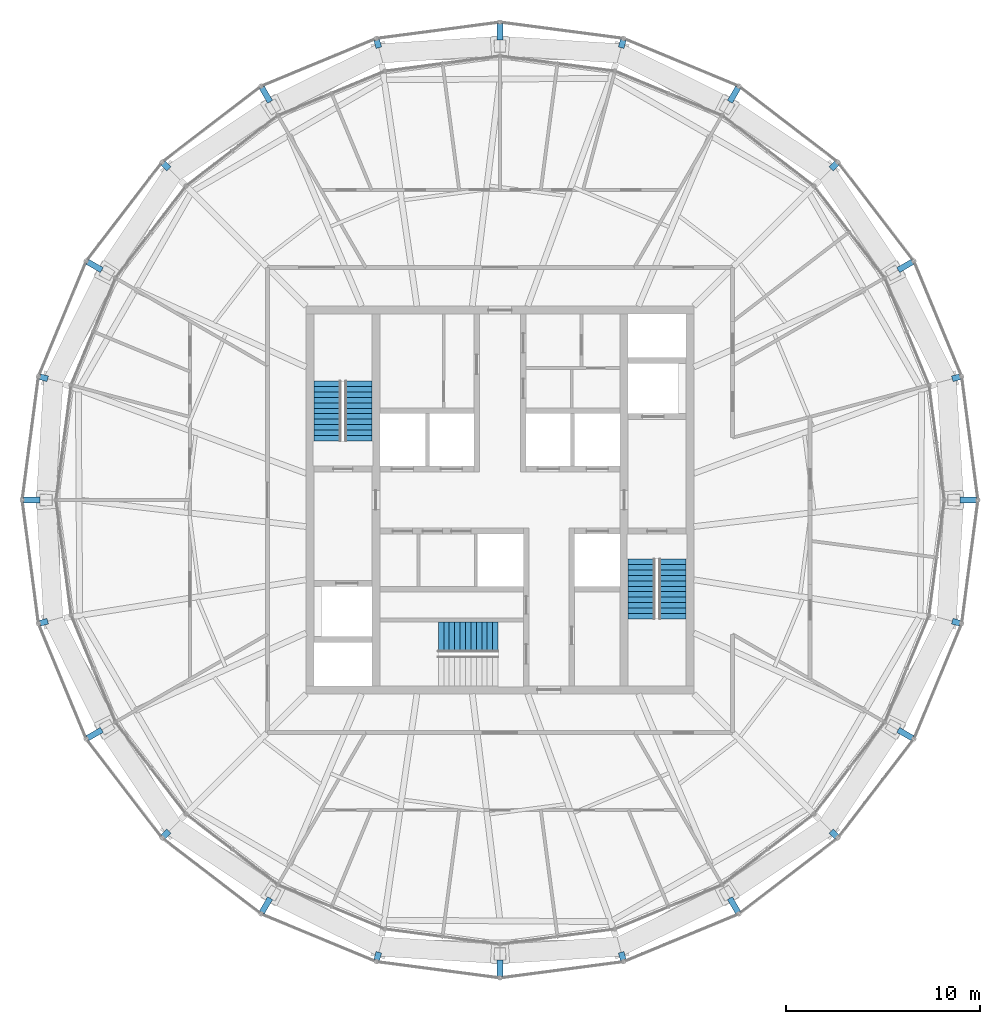
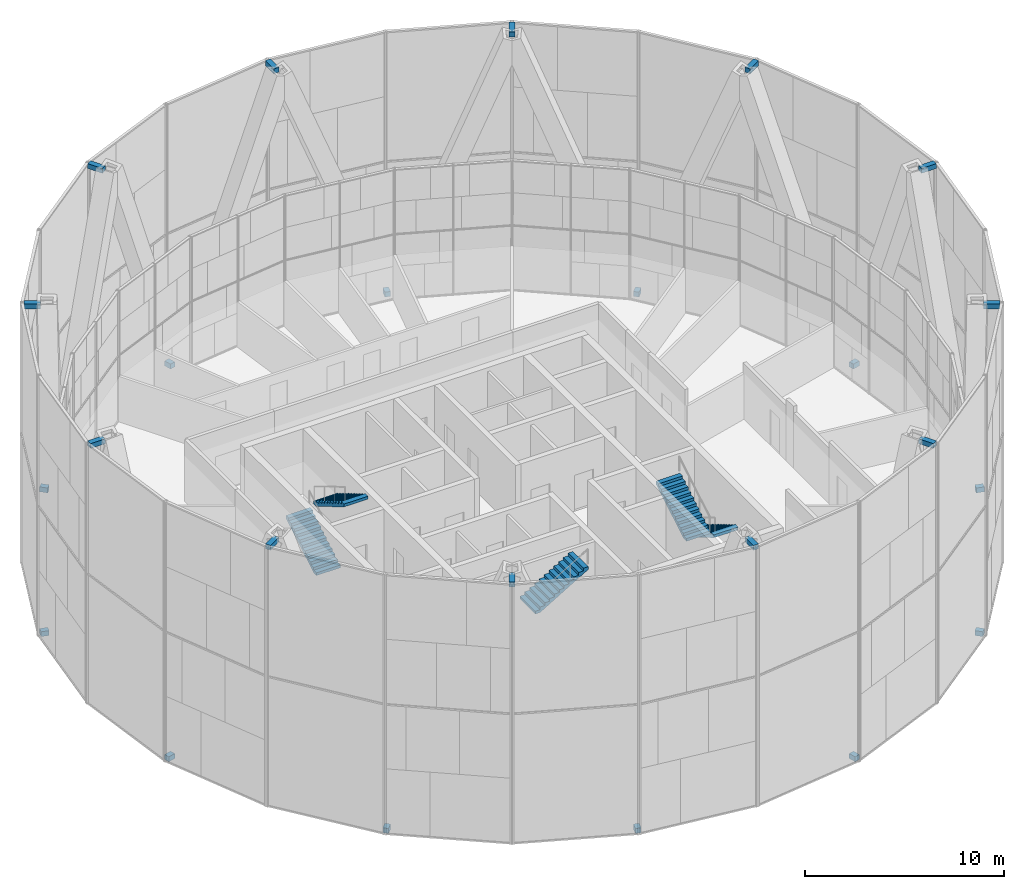
# One storey, part 22 of 23: 24 discrete accessories, 5 stair flights, 3 elements without a shape of their own.
"""IFC4 building model written with IfcOpenShell, lengths in metres."""

from ifc_helpers import new_model, si_unit, direction, frame, origin, origin_2d, place, context, subcontext, project, spatial, polyline, rectangle, outline, extrude, material, type_object, element, aggregate, save


model = new_model("IFC4")

# Units and contexts
model_context = context("Model", 3, precision=1e-05, world=origin(), true_north=direction((0.0, 1.0)))
body_context = subcontext(model_context, "Body", "Model", "MODEL_VIEW")
ifc_project = project(units=[si_unit("LENGTHUNIT", "METRE"), si_unit("AREAUNIT", "SQUARE_METRE"), si_unit("VOLUMEUNIT", "CUBIC_METRE"), si_unit("PLANEANGLEUNIT", "RADIAN"), si_unit("MASSUNIT", "GRAM", prefix="KILO")], contexts=[model_context])

# Site, building, storey
site_placement = place(None, origin())
site = spatial("IfcSite", under=ifc_project, at=site_placement, CompositionType="ELEMENT")
building_placement = place(site_placement, origin())
building = spatial("IfcBuilding", under=site, at=building_placement, Name="Golbaran Civic Tower", CompositionType="ELEMENT")
storey_placement = place(building_placement, frame((0.0, 0.0, 232.0)))
storey = spatial("IfcBuildingStorey", under=building, at=storey_placement, Name="L56", CompositionType="ELEMENT", Elevation=232.0)

# Stair, stair flights
ifc_material_1 = material(Name="Concrete C35/45", Category="concrete")
stair_type_1 = type_object("IfcStairType", Name="EXIT STAIR 3000 x 7850, 4000 RISE", PredefinedType="HALF_TURN_STAIR", material=ifc_material_1)
stair_1_placement = place(storey_placement, origin())
stair_1 = element("IfcStair", 1, at=stair_1_placement, inside=storey, type_object=stair_type_1, Name="Stair S1 L56", PredefinedType="HALF_TURN_STAIR")
stair_flight_type_1 = type_object("IfcStairFlightType", Name="STAIR FLIGHT 1400 WIDE", PredefinedType="STRAIGHT", material=ifc_material_1)
stair_flight_1_placement = place(storey_placement, frame((-8.89990234375, 3.050048828125, 0.0), z_axis=(0.0, 0.0, 1.0), x_axis=(0.0, 1.0, 0.0)))
stair_flight_1 = element("IfcStairFlight", 2, at=stair_flight_1_placement, type_object=stair_flight_type_1, Name="ST30078-40 flight 1", NumberOfRisers=12, NumberOfTreads=11, PredefinedType="STRAIGHT", RiserHeight=0.166666667, TreadLength=0.28, context=body_context, shape_type="SweptSolid", body=[
    extrude(outline(polyline([(0.0, 0.0), (0.0, 0.166748046875), (0.280029296875, 0.166748046875), (0.280029296875, 0.333251953125), (0.56005859375, 0.333251953125), (0.56005859375, 0.5), (0.840087890625, 0.5), (0.840087890625, 0.666748046875), (1.1201171875, 0.666748046875), (1.1201171875, 0.833251953125), (1.39990234375, 0.833251953125), (1.39990234375, 1.0), (1.679931640625, 1.0), (1.679931640625, 1.166748046875), (1.9599609375, 1.166748046875), (1.9599609375, 1.333251953125), (2.239990234375, 1.333251953125), (2.239990234375, 1.5), (2.52001953125, 1.5), (2.52001953125, 1.666748046875), (2.800048828125, 1.666748046875), (2.800048828125, 1.833251953125), (3.080078125, 1.833251953125), (3.080078125, 2.0), (3.080078125, 1.658935546875), (0.29296875, 0.0), (0.0, 0.0)])), frame((0.0, 0.699951171875, 0.0), z_axis=(0.0, -1.0, 0.0), x_axis=(1.0, 0.0, 0.0)), (0.0, 0.0, 1.0), 1.39990234375),
])
stair_flight_2_placement = place(storey_placement, frame((-7.300048828125, 6.1298828125, 2.0), z_axis=(0.0, 0.0, 1.0), x_axis=(0.0, -1.0, 0.0)))
stair_flight_2 = element("IfcStairFlight", 3, at=stair_flight_2_placement, type_object=stair_flight_type_1, Name="ST30078-40 flight 2", NumberOfRisers=12, NumberOfTreads=11, PredefinedType="STRAIGHT", RiserHeight=0.166666667, TreadLength=0.28, context=body_context, shape_type="SweptSolid", body=[
    extrude(outline(polyline([(0.0, 0.0), (0.0, 0.166748046875), (0.280029296875, 0.166748046875), (0.280029296875, 0.333251953125), (0.56005859375, 0.333251953125), (0.56005859375, 0.5), (0.840087890625, 0.5), (0.840087890625, 0.666748046875), (1.1201171875, 0.666748046875), (1.1201171875, 0.833251953125), (1.39990234375, 0.833251953125), (1.39990234375, 1.0), (1.679931640625, 1.0), (1.679931640625, 1.166748046875), (1.9599609375, 1.166748046875), (1.9599609375, 1.333251953125), (2.239990234375, 1.333251953125), (2.239990234375, 1.5), (2.52001953125, 1.5), (2.52001953125, 1.666748046875), (2.800048828125, 1.666748046875), (2.800048828125, 1.833251953125), (3.080078125, 1.833251953125), (3.080078125, 2.0), (3.080078125, 1.658935546875), (0.29296875, 0.0), (0.0, 0.0)])), frame((0.0, 0.699951171875, 0.0), z_axis=(0.0, -1.0, 0.0), x_axis=(1.0, 0.0, 0.0)), (0.0, 0.0, 1.0), 1.39990234375),
])
aggregate(stair_1, [stair_flight_1, stair_flight_2])

stair_2_placement = place(storey_placement, origin())
stair_2 = element("IfcStair", 4, at=stair_2_placement, inside=storey, type_object=stair_type_1, Name="Stair S2 L56", PredefinedType="HALF_TURN_STAIR")
stair_flight_3_placement = place(storey_placement, frame((8.89990234375, -3.050048828125, 0.0), z_axis=(0.0, 0.0, 1.0), x_axis=(0.0, -1.0, 0.0)))
stair_flight_3 = element("IfcStairFlight", 5, at=stair_flight_3_placement, type_object=stair_flight_type_1, Name="ST30078-40 flight 1", NumberOfRisers=12, NumberOfTreads=11, PredefinedType="STRAIGHT", RiserHeight=0.166666667, TreadLength=0.28, context=body_context, shape_type="SweptSolid", body=[
    extrude(outline(polyline([(0.0, 0.0), (0.0, 0.166748046875), (0.280029296875, 0.166748046875), (0.280029296875, 0.333251953125), (0.56005859375, 0.333251953125), (0.56005859375, 0.5), (0.840087890625, 0.5), (0.840087890625, 0.666748046875), (1.1201171875, 0.666748046875), (1.1201171875, 0.833251953125), (1.39990234375, 0.833251953125), (1.39990234375, 1.0), (1.679931640625, 1.0), (1.679931640625, 1.166748046875), (1.9599609375, 1.166748046875), (1.9599609375, 1.333251953125), (2.239990234375, 1.333251953125), (2.239990234375, 1.5), (2.52001953125, 1.5), (2.52001953125, 1.666748046875), (2.800048828125, 1.666748046875), (2.800048828125, 1.833251953125), (3.080078125, 1.833251953125), (3.080078125, 2.0), (3.080078125, 1.658935546875), (0.29296875, 0.0), (0.0, 0.0)])), frame((0.0, 0.699951171875, 0.0), z_axis=(0.0, -1.0, 0.0), x_axis=(1.0, 0.0, 0.0)), (0.0, 0.0, 1.0), 1.39990234375),
])
stair_flight_4_placement = place(storey_placement, frame((7.300048828125, -6.1298828125, 2.0), z_axis=(0.0, 0.0, 1.0), x_axis=(0.0, 1.0, 0.0)))
stair_flight_4 = element("IfcStairFlight", 6, at=stair_flight_4_placement, type_object=stair_flight_type_1, Name="ST30078-40 flight 2", NumberOfRisers=12, NumberOfTreads=11, PredefinedType="STRAIGHT", RiserHeight=0.166666667, TreadLength=0.28, context=body_context, shape_type="SweptSolid", body=[
    extrude(outline(polyline([(0.0, 0.0), (0.0, 0.166748046875), (0.280029296875, 0.166748046875), (0.280029296875, 0.333251953125), (0.56005859375, 0.333251953125), (0.56005859375, 0.5), (0.840087890625, 0.5), (0.840087890625, 0.666748046875), (1.1201171875, 0.666748046875), (1.1201171875, 0.833251953125), (1.39990234375, 0.833251953125), (1.39990234375, 1.0), (1.679931640625, 1.0), (1.679931640625, 1.166748046875), (1.9599609375, 1.166748046875), (1.9599609375, 1.333251953125), (2.239990234375, 1.333251953125), (2.239990234375, 1.5), (2.52001953125, 1.5), (2.52001953125, 1.666748046875), (2.800048828125, 1.666748046875), (2.800048828125, 1.833251953125), (3.080078125, 1.833251953125), (3.080078125, 2.0), (3.080078125, 1.658935546875), (0.29296875, 0.0), (0.0, 0.0)])), frame((0.0, 0.699951171875, 0.0), z_axis=(0.0, -1.0, 0.0), x_axis=(1.0, 0.0, 0.0)), (0.0, 0.0, 1.0), 1.39990234375),
])
aggregate(stair_2, [stair_flight_3, stair_flight_4])

# Stair, stair flight
stair_type_2 = type_object("IfcStairType", Name="EXIT STAIR 3300 x 7400, 4000 RISE", PredefinedType="HALF_TURN_STAIR", material=ifc_material_1)
stair_3_placement = place(storey_placement, origin())
stair_3 = element("IfcStair", 7, at=stair_3_placement, inside=storey, type_object=stair_type_2, Name="Stair S3 L56", PredefinedType="HALF_TURN_STAIR")
stair_flight_type_2 = type_object("IfcStairFlightType", Name="STAIR FLIGHT 1550 WIDE", PredefinedType="STRAIGHT", material=ifc_material_1)
stair_flight_5_placement = place(storey_placement, frame((-3.179931640625, -7.074951171875, 2.0), z_axis=(0.0, 0.0, 1.0), x_axis=(1.0, 0.0, 0.0)))
stair_flight_5 = element("IfcStairFlight", 8, at=stair_flight_5_placement, type_object=stair_flight_type_2, Name="ST33074-40 flight 2", NumberOfRisers=12, NumberOfTreads=11, PredefinedType="STRAIGHT", RiserHeight=0.166666667, TreadLength=0.28, context=body_context, shape_type="SweptSolid", body=[
    extrude(outline(polyline([(0.0, 0.0), (0.0, 0.166748046875), (0.280029296875, 0.166748046875), (0.280029296875, 0.333251953125), (0.56005859375, 0.333251953125), (0.56005859375, 0.5), (0.840087890625, 0.5), (0.840087890625, 0.666748046875), (1.1201171875, 0.666748046875), (1.1201171875, 0.833251953125), (1.39990234375, 0.833251953125), (1.39990234375, 1.0), (1.679931640625, 1.0), (1.679931640625, 1.166748046875), (1.9599609375, 1.166748046875), (1.9599609375, 1.333251953125), (2.239990234375, 1.333251953125), (2.239990234375, 1.5), (2.52001953125, 1.5), (2.52001953125, 1.666748046875), (2.800048828125, 1.666748046875), (2.800048828125, 1.833251953125), (3.080078125, 1.833251953125), (3.080078125, 2.0), (3.080078125, 1.658935546875), (0.29296875, 0.0), (0.0, 0.0)])), frame((0.0, 0.77490234375, 0.0), z_axis=(0.0, -1.0, 0.0), x_axis=(1.0, 0.0, 0.0)), (0.0, 0.0, 1.0), 1.550048828125),
])
aggregate(stair_3, [stair_flight_5])

# Discrete accessories
ifc_material_2 = material(Name="Steel S355", Category="steel")
discrete_accessory_type = type_object("IfcDiscreteAccessoryType", Name="OUTER SKIN BRACKET", PredefinedType="BRACKET", material=ifc_material_2)
for number, where, z_axis, x_axis, name in (
    (9, (23.53466796875, 6.30615234375, -0.7099609375), (0.0, 0.0, 1.0), (0.965925826289, 0.258819045103, 0.0), "Outer skin bracket L56 node 1"),
    (10, (17.228759765625, 17.228759765625, -0.7099609375), (0.0, 0.0, 1.0), (0.707106781187, 0.707106781187, 0.0), "Outer skin bracket L56 node 2"),
    (11, (6.30615234375, 23.53466796875, -0.7099609375), (0.0, 0.0, 1.0), (0.258819045103, 0.965925826289, 0.0), "Outer skin bracket L56 node 3"),
    (12, (-6.30615234375, 23.53466796875, -0.7099609375), (0.0, 0.0, 1.0), (-0.258819045103, 0.965925826289, 0.0), "Outer skin bracket L56 node 4"),
    (13, (-17.228759765625, 17.228759765625, -0.7099609375), (0.0, 0.0, 1.0), (-0.707106781187, 0.707106781187, 0.0), "Outer skin bracket L56 node 5"),
    (14, (-23.53466796875, 6.30615234375, -0.7099609375), (0.0, 0.0, 1.0), (-0.965925826289, 0.258819045103, 0.0), "Outer skin bracket L56 node 6"),
    (15, (-23.53466796875, -6.30615234375, -0.7099609375), (0.0, 0.0, 1.0), (-0.965925826289, -0.258819045103, 0.0), "Outer skin bracket L56 node 7"),
    (16, (-17.228759765625, -17.228759765625, -0.7099609375), (0.0, 0.0, 1.0), (-0.707106781187, -0.707106781187, 0.0), "Outer skin bracket L56 node 8"),
    (17, (-6.30615234375, -23.53466796875, -0.7099609375), (0.0, 0.0, 1.0), (-0.258819045103, -0.965925826289, 0.0), "Outer skin bracket L56 node 9"),
    (18, (6.30615234375, -23.53466796875, -0.7099609375), (0.0, 0.0, 1.0), (0.258819045103, -0.965925826289, 0.0), "Outer skin bracket L56 node 10"),
    (19, (17.228759765625, -17.228759765625, -0.7099609375), (0.0, 0.0, 1.0), (0.707106781187, -0.707106781187, 0.0), "Outer skin bracket L56 node 11"),
    (20, (23.53466796875, -6.30615234375, -0.7099609375), (0.0, 0.0, 1.0), (0.965925826289, -0.258819045103, 0.0), "Outer skin bracket L56 node 12"),
):
    element("IfcDiscreteAccessory", number, at=place(storey_placement, frame(where, z_axis=z_axis, x_axis=x_axis)), inside=storey, type_object=discrete_accessory_type, Name=name, PredefinedType="BRACKET", context=body_context, shape_type="SweptSolid", body=[
        extrude(rectangle(XDim=0.419921875, YDim=0.300048828125, at=origin_2d()), origin(), (0.0, 0.0, 1.0), 0.300048828125),
    ])
for number, where, z_axis, x_axis, name in (
    (21, (24.14892578125, 0.0, 14.98974609375), (0.0, 0.0, 1.0), (1.0, 0.0, 0.0), "Outer skin head bracket L56 node 1"),
    (22, (20.91357421875, 12.074462890625, 14.98974609375), (0.0, 0.0, 1.0), (0.866025403784, 0.5, 0.0), "Outer skin head bracket L56 node 2"),
    (23, (12.074462890625, 20.91357421875, 14.98974609375), (0.0, 0.0, 1.0), (0.5, 0.866025403784, 0.0), "Outer skin head bracket L56 node 3"),
    (24, (0.0, 24.14892578125, 14.98974609375), (0.0, 0.0, 1.0), (0.0, 1.0, 0.0), "Outer skin head bracket L56 node 4"),
    (25, (-12.074462890625, 20.91357421875, 14.98974609375), (0.0, 0.0, 1.0), (-0.5, 0.866025403784, 0.0), "Outer skin head bracket L56 node 5"),
    (26, (-20.91357421875, 12.074462890625, 14.98974609375), (0.0, 0.0, 1.0), (-0.866025403784, 0.5, 0.0), "Outer skin head bracket L56 node 6"),
    (27, (-24.14892578125, 0.0, 14.98974609375), (0.0, 0.0, 1.0), (-1.0, 0.0, 0.0), "Outer skin head bracket L56 node 7"),
    (28, (-20.91357421875, -12.074462890625, 14.98974609375), (0.0, 0.0, 1.0), (-0.866025403784, -0.5, 0.0), "Outer skin head bracket L56 node 8"),
    (29, (-12.074462890625, -20.91357421875, 14.98974609375), (0.0, 0.0, 1.0), (-0.5, -0.866025403784, 0.0), "Outer skin head bracket L56 node 9"),
    (30, (0.0, -24.14892578125, 14.98974609375), (0.0, 0.0, 1.0), (0.0, -1.0, 0.0), "Outer skin head bracket L56 node 10"),
    (31, (12.074462890625, -20.91357421875, 14.98974609375), (0.0, 0.0, 1.0), (0.5, -0.866025403784, 0.0), "Outer skin head bracket L56 node 11"),
    (32, (20.91357421875, -12.074462890625, 14.98974609375), (0.0, 0.0, 1.0), (0.866025403784, -0.5, 0.0), "Outer skin head bracket L56 node 12"),
):
    element("IfcDiscreteAccessory", number, at=place(storey_placement, frame(where, z_axis=z_axis, x_axis=x_axis)), inside=storey, type_object=discrete_accessory_type, Name=name, PredefinedType="BRACKET", context=body_context, shape_type="SweptSolid", body=[
        extrude(rectangle(XDim=0.85205078125, YDim=0.300048828125, at=origin_2d()), origin(), (0.0, 0.0, 1.0), 0.300048828125),
    ])

save(model, "model.ifc")
